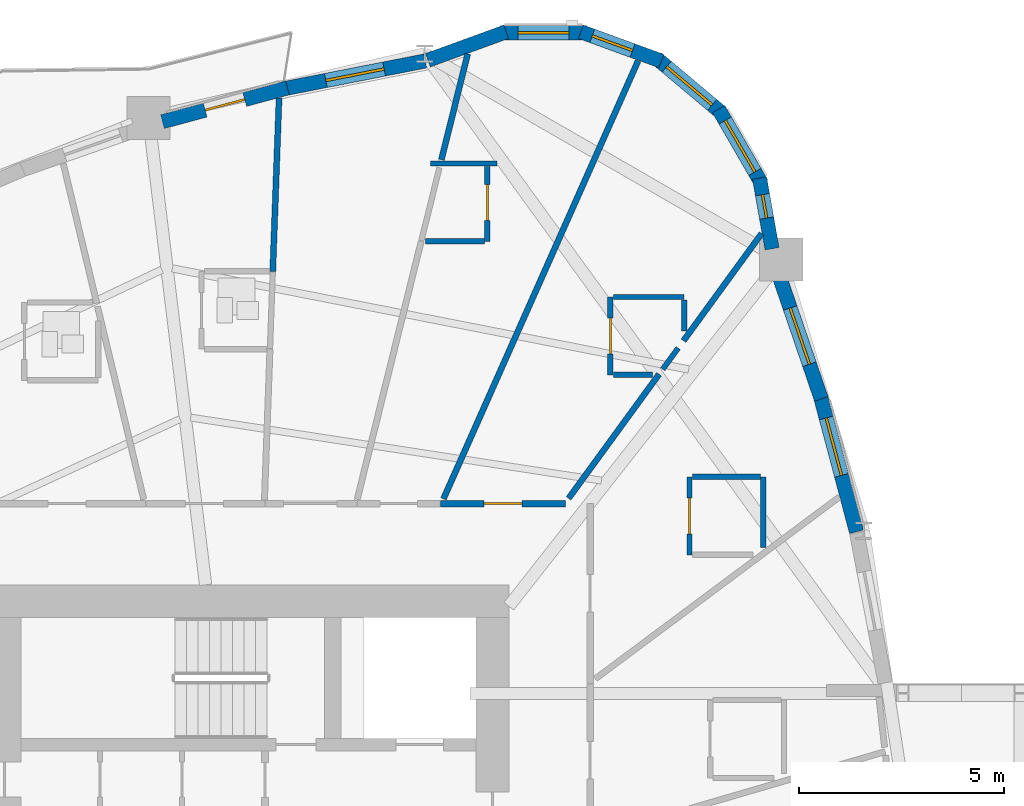
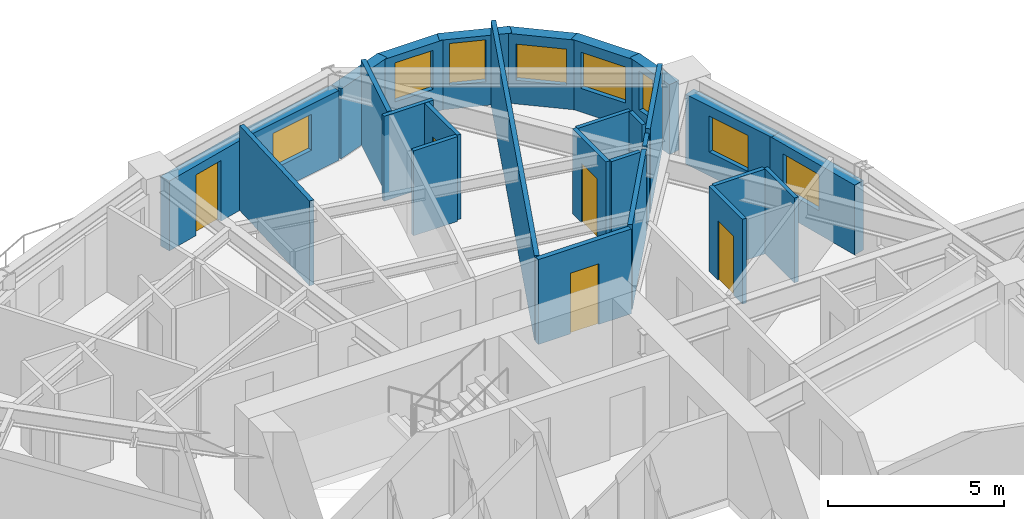
# One storey, part 10 of 16: 27 walls, 8 windows, 5 doors, 13 openings.
"""IFC4 building model written with IfcOpenShell, lengths in metres."""

from ifc_helpers import new_model, si_unit, direction, frame, frame_2d, origin, place, context, subcontext, project, spatial, rectangle, extrude, source, transform, mapped, material, layer, layer_set, type_object, element, fill, save


model = new_model("IFC4")

# Units and contexts
model_context = context("Model", 3, precision=1e-05, world=origin(), true_north=direction((0.0, 1.0)))
body_context = subcontext(model_context, "Body", "Model", "MODEL_VIEW")
ifc_project = project(units=[si_unit("LENGTHUNIT", "METRE"), si_unit("AREAUNIT", "SQUARE_METRE"), si_unit("VOLUMEUNIT", "CUBIC_METRE"), si_unit("PLANEANGLEUNIT", "RADIAN"), si_unit("MASSUNIT", "GRAM", prefix="KILO")], contexts=[model_context])

# Site, building, storey
site_placement = place(None, origin())
site = spatial("IfcSite", under=ifc_project, at=site_placement, CompositionType="ELEMENT")
building_placement = place(site_placement, origin())
building = spatial("IfcBuilding", under=site, at=building_placement, Name="Qafzar Sky-Pleat Residences", CompositionType="ELEMENT")
storey_placement = place(building_placement, frame((0.0, 0.0, 30.199951171875)))
storey = spatial("IfcBuildingStorey", under=building, at=storey_placement, Name="L08", CompositionType="ELEMENT", Elevation=30.199951171875)

# Wall, opening, door
ifc_material_1 = material(Name="Acoustic gypsum plasterboard partition", Category="gypsum")
ifc_layer_1 = layer(ifc_material_1, 0.159912109375)
ifc_layer_set_1 = layer_set([ifc_layer_1], Name="Acoustic gypsum plasterboard partition")
wall_type_1 = type_object("IfcWallType", Name="PART-COR-160", PredefinedType="PARTITIONING", material=ifc_layer_set_1)
wall_1_placement = place(storey_placement, frame((35.035888671875, 36.580078125, 0.0), z_axis=(0.0, 0.0, 1.0), x_axis=(1.0, 0.0, 0.0)))
wall_1 = element("IfcWall", 1, at=wall_1_placement, inside=storey, type_object=wall_type_1, Name="L08 Partition Wall PART-L08-PW-013", PredefinedType="PARTITIONING", context=body_context, shape_type="SweptSolid", body=[
    extrude(rectangle(XDim=3.045166015625, YDim=0.159912109375, at=frame_2d((1.5224609375, 0.0))), origin(), (0.0, 0.0, 1.0), 2.93505859375),
])
opening_1_placement = place(wall_1_placement, frame((1.0615234375, 0.0, 0.0)))
opening_1 = element("IfcOpeningElement", 2, at=opening_1_placement, cuts=wall_1, Name="Opening ID-04", PredefinedType="OPENING", context=body_context, shape_type="SweptSolid", body=[
    extrude(rectangle(XDim=0.919921875, YDim=2.10009765625, at=frame_2d((0.4599609375, 1.050048828125))), frame((0.0, 0.08984375, 0.0), z_axis=(0.0, -1.0, 0.0), x_axis=(1.0, 0.0, 0.0)), (0.0, 0.0, 1.0), 0.179931640625),
])
ifc_material_2 = material(Name="Timber-faced fire door", Category="wood")
door_type_1 = type_object("IfcDoorType", Name="DR-BED-920", OperationType="NOTDEFINED", PredefinedType="DOOR", material=ifc_material_2)
shared_shape_1 = source(origin(), body_context, "Body", "SweptSolid", [
    extrude(rectangle(XDim=0.919921875, YDim=2.10009765625, at=frame_2d((0.4599609375, 1.050048828125))), frame((0.0, 0.02490234375, 0.0), z_axis=(0.0, -1.0, 0.0), x_axis=(1.0, 0.0, 0.0)), (0.0, 0.0, 1.0), 0.050048828125),
])
door_1_placement = place(opening_1_placement, origin())
door_1 = element("IfcDoor", 3, at=door_1_placement, inside=storey, type_object=door_type_1, Name="L08 Co-Living Bedroom 11 Door", OperationType="SINGLE_SWING_LEFT", OverallHeight=2.10009765625, OverallWidth=0.919921875, PredefinedType="DOOR", context=body_context, shape_type="MappedRepresentation", body=[
    mapped(shared_shape_1, transform((0.0, 0.0, 0.0), x_axis=(1.0, 0.0, 0.0), y_axis=(0.0, 1.0, 0.0), z_axis=(0.0, 0.0, 1.0), scale=1.0)),
])
fill(opening_1, door_1)

# Walls
ifc_layer_2 = layer(ifc_material_1, 0.14501953125)
ifc_layer_set_2 = layer_set([ifc_layer_2], Name="Acoustic gypsum plasterboard partition")
wall_type_2 = type_object("IfcWallType", Name="PART-UNIT-145", PredefinedType="PARTITIONING", material=ifc_layer_set_2)
wall_2_placement = place(storey_placement, frame((35.10400390625, 36.69677734375, 0.0), z_axis=(0.0, 0.0, 1.0), x_axis=(0.406121034368, 0.913819295837, 0.0)))
element("IfcWall", 4, at=wall_2_placement, inside=storey, type_object=wall_type_2, Name="L08 Partition Wall PART-L08-PW-035", PredefinedType="PARTITIONING", context=body_context, shape_type="SweptSolid", body=[
    extrude(rectangle(XDim=11.6953125, YDim=0.14501953125, at=frame_2d((5.84765625, 0.0))), origin(), (0.0, 0.0, 1.0), 2.93505859375),
])
wall_3_placement = place(storey_placement, frame((30.93994140625, 42.2470703125, 0.0), z_axis=(0.0, 0.0, 1.0), x_axis=(0.03624948077, 0.999342771597, 0.0)))
element("IfcWall", 5, at=wall_3_placement, inside=storey, type_object=wall_type_2, Name="L08 Partition Wall PART-L08-PW-052", PredefinedType="PARTITIONING", context=body_context, shape_type="SweptSolid", body=[
    extrude(rectangle(XDim=4.2294921875, YDim=0.14501953125, at=frame_2d((2.11474609375, 0.0))), origin(), (0.0, 0.0, 1.0), 2.93505859375),
])
wall_4_placement = place(storey_placement, frame((38.156982421875, 36.709228515625, 0.0), z_axis=(0.0, 0.0, 1.0), x_axis=(0.589039209188, 0.808104454906, 0.0)))
element("IfcWall", 6, at=wall_4_placement, inside=storey, type_object=wall_type_2, Name="L08 Partition Wall PART-L08-PW-053", PredefinedType="PARTITIONING", context=body_context, shape_type="SweptSolid", body=[
    extrude(rectangle(XDim=3.746826171875, YDim=0.14501953125, at=frame_2d((1.87353515625, 0.0))), origin(), (0.0, 0.0, 1.0), 2.93505859375),
])
wall_5_placement = place(storey_placement, frame((40.9609375, 40.554931640625, 0.0), z_axis=(0.0, 0.0, 1.0), x_axis=(0.589014212848, 0.808122674514, 0.0)))
element("IfcWall", 7, at=wall_5_placement, inside=storey, type_object=wall_type_2, Name="L08 Partition Wall PART-L08-PW-057", PredefinedType="PARTITIONING", context=body_context, shape_type="SweptSolid", body=[
    extrude(rectangle(XDim=3.238037109375, YDim=0.14501953125, at=frame_2d((1.619140625, 0.0))), origin(), (0.0, 0.0, 1.0), 2.93505859375),
])
wall_6_placement = place(storey_placement, frame((35.054443359375, 44.96923828125, 0.0), z_axis=(0.0, 0.0, 1.0), x_axis=(0.240615617293, 0.970620484388, 0.0)))
element("IfcWall", 8, at=wall_6_placement, inside=storey, type_object=wall_type_2, Name="L08 Partition Wall PART-L08-PW-058", PredefinedType="PARTITIONING", context=body_context, shape_type="SweptSolid", body=[
    extrude(rectangle(XDim=2.66357421875, YDim=0.14501953125, at=frame_2d((1.331787109375, 0.0))), origin(), (0.0, 0.0, 1.0), 2.93505859375),
])

# Wall, opening, door
ifc_material_3 = material(Name="Moisture-resistant gypsum partition", Category="gypsum")
ifc_layer_3 = layer(ifc_material_3, 0.1298828125)
ifc_layer_set_3 = layer_set([ifc_layer_3], Name="Moisture-resistant gypsum partition")
wall_type_3 = type_object("IfcWallType", Name="PART-WET-130", PredefinedType="PARTITIONING", material=ifc_layer_set_3)
wall_7_placement = place(storey_placement, frame((41.10595703125, 37.23291015625, 0.0), z_axis=(0.0, 0.0, 1.0), x_axis=(0.0, -1.0, 0.0)))
wall_7 = element("IfcWall", 9, at=wall_7_placement, inside=storey, type_object=wall_type_3, Name="L08 Partition Wall PART-L08-PW-027", PredefinedType="PARTITIONING", context=body_context, shape_type="SweptSolid", body=[
    extrude(rectangle(XDim=1.89990234375, YDim=0.1298828125, at=frame_2d((0.949951171875, 0.0))), origin(), (0.0, 0.0, 1.0), 2.93505859375),
])
opening_2_placement = place(wall_7_placement, frame((0.510009765625, 0.0, 0.0)))
opening_2 = element("IfcOpeningElement", 10, at=opening_2_placement, cuts=wall_7, Name="Opening ID-07", PredefinedType="OPENING", context=body_context, shape_type="SweptSolid", body=[
    extrude(rectangle(XDim=0.8798828125, YDim=2.050048828125, at=frame_2d((0.43994140625, 1.02490234375))), frame((0.0, 0.074951171875, 0.0), z_axis=(0.0, -1.0, 0.0), x_axis=(1.0, 0.0, 0.0)), (0.0, 0.0, 1.0), 0.14990234375),
])
door_type_2 = type_object("IfcDoorType", Name="DR-WET-880", OperationType="NOTDEFINED", PredefinedType="DOOR", material=ifc_material_2)
shared_shape_2 = source(origin(), body_context, "Body", "SweptSolid", [
    extrude(rectangle(XDim=0.8798828125, YDim=2.050048828125, at=frame_2d((0.43994140625, 1.02490234375))), frame((0.0, 0.02490234375, 0.0), z_axis=(0.0, -1.0, 0.0), x_axis=(1.0, 0.0, 0.0)), (0.0, 0.0, 1.0), 0.050048828125),
])
door_2_placement = place(opening_2_placement, origin())
door_2 = element("IfcDoor", 11, at=door_2_placement, inside=storey, type_object=door_type_2, Name="L08 En-suite Bathroom 10 Door", OperationType="SINGLE_SWING_LEFT", OverallHeight=2.050048828125, OverallWidth=0.8798828125, PredefinedType="DOOR", context=body_context, shape_type="MappedRepresentation", body=[
    mapped(shared_shape_2, transform((0.0, 0.0, 0.0), x_axis=(1.0, 0.0, 0.0), y_axis=(0.0, 1.0, 0.0), z_axis=(0.0, 0.0, 1.0), scale=1.0)),
])
fill(opening_2, door_2)

wall_8_placement = place(storey_placement, frame((39.176025390625, 41.6220703125, 0.0), z_axis=(0.0, 0.0, 1.0), x_axis=(0.0, -1.0, 0.0)))
wall_8 = element("IfcWall", 12, at=wall_8_placement, inside=storey, type_object=wall_type_3, Name="L08 Partition Wall PART-L08-PW-028", PredefinedType="PARTITIONING", context=body_context, shape_type="SweptSolid", body=[
    extrude(rectangle(XDim=1.900146484375, YDim=0.1298828125, at=frame_2d((0.9501953125, 0.0))), origin(), (0.0, 0.0, 1.0), 2.93505859375),
])
opening_3_placement = place(wall_8_placement, frame((0.510009765625, 0.0, 0.0)))
opening_3 = element("IfcOpeningElement", 13, at=opening_3_placement, cuts=wall_8, Name="Opening ID-07", PredefinedType="OPENING", context=body_context, shape_type="SweptSolid", body=[
    extrude(rectangle(XDim=0.8798828125, YDim=2.050048828125, at=frame_2d((0.43994140625, 1.02490234375))), frame((0.0, 0.074951171875, 0.0), z_axis=(0.0, -1.0, 0.0), x_axis=(1.0, 0.0, 0.0)), (0.0, 0.0, 1.0), 0.14990234375),
])
door_3_placement = place(opening_3_placement, origin())
door_3 = element("IfcDoor", 14, at=door_3_placement, inside=storey, type_object=door_type_2, Name="L08 En-suite Bathroom 11 Door", OperationType="SINGLE_SWING_RIGHT", OverallHeight=2.050048828125, OverallWidth=0.8798828125, PredefinedType="DOOR", context=body_context, shape_type="MappedRepresentation", body=[
    mapped(shared_shape_2, transform((0.0, 0.0, 0.0), x_axis=(1.0, 0.0, 0.0), y_axis=(0.0, 1.0, 0.0), z_axis=(0.0, 0.0, 1.0), scale=1.0)),
])
fill(opening_3, door_3)

wall_9_placement = place(storey_placement, frame((36.176025390625, 42.97900390625, 0.0), z_axis=(0.0, 0.0, 1.0), x_axis=(0.0, 1.0, 0.0)))
wall_9 = element("IfcWall", 15, at=wall_9_placement, inside=storey, type_object=wall_type_3, Name="L08 Partition Wall PART-L08-PW-029", PredefinedType="PARTITIONING", context=body_context, shape_type="SweptSolid", body=[
    extrude(rectangle(XDim=1.826904296875, YDim=0.1298828125, at=frame_2d((0.91357421875, 0.0))), origin(), (0.0, 0.0, 1.0), 2.93505859375),
])
opening_4_placement = place(wall_9_placement, frame((0.510009765625, 0.0, 0.0)))
opening_4 = element("IfcOpeningElement", 16, at=opening_4_placement, cuts=wall_9, Name="Opening ID-07", PredefinedType="OPENING", context=body_context, shape_type="SweptSolid", body=[
    extrude(rectangle(XDim=0.8798828125, YDim=2.050048828125, at=frame_2d((0.43994140625, 1.02490234375))), frame((0.0, 0.074951171875, 0.0), z_axis=(0.0, -1.0, 0.0), x_axis=(1.0, 0.0, 0.0)), (0.0, 0.0, 1.0), 0.14990234375),
])
door_4_placement = place(opening_4_placement, origin())
door_4 = element("IfcDoor", 17, at=door_4_placement, inside=storey, type_object=door_type_2, Name="L08 En-suite Bathroom 12 Door", OperationType="SINGLE_SWING_LEFT", OverallHeight=2.050048828125, OverallWidth=0.8798828125, PredefinedType="DOOR", context=body_context, shape_type="MappedRepresentation", body=[
    mapped(shared_shape_2, transform((0.0, 0.0, 0.0), x_axis=(1.0, 0.0, 0.0), y_axis=(0.0, 1.0, 0.0), z_axis=(0.0, 0.0, 1.0), scale=1.0)),
])
fill(opening_4, door_4)

# Walls
wall_10_placement = place(storey_placement, frame((42.906005859375, 35.505859375, 0.0), z_axis=(0.0, 0.0, 1.0), x_axis=(0.0, 1.0, 0.0)))
element("IfcWall", 18, at=wall_10_placement, inside=storey, type_object=wall_type_3, Name="L08 Partition Wall PART-L08-PW-065", PredefinedType="PARTITIONING", context=body_context, shape_type="SweptSolid", body=[
    extrude(rectangle(XDim=1.72705078125, YDim=0.1298828125, at=frame_2d((0.863525390625, 0.0))), origin(), (0.0, 0.0, 1.0), 2.93505859375),
])
wall_11_placement = place(storey_placement, frame((41.178955078125, 37.23291015625, 0.0), z_axis=(0.0, 0.0, 1.0), x_axis=(1.0, 0.0, 0.0)))
element("IfcWall", 19, at=wall_11_placement, inside=storey, type_object=wall_type_3, Name="L08 Partition Wall PART-L08-PW-077", PredefinedType="PARTITIONING", context=body_context, shape_type="SweptSolid", body=[
    extrude(rectangle(XDim=1.654052734375, YDim=0.1298828125, at=frame_2d((0.8271484375, 0.0))), origin(), (0.0, 0.0, 1.0), 2.93505859375),
])
wall_12_placement = place(storey_placement, frame((39.2490234375, 41.6220703125, 0.0), z_axis=(0.0, 0.0, 1.0), x_axis=(1.0, 0.0, 0.0)))
element("IfcWall", 20, at=wall_12_placement, inside=storey, type_object=wall_type_3, Name="L08 Partition Wall PART-L08-PW-078", PredefinedType="PARTITIONING", context=body_context, shape_type="SweptSolid", body=[
    extrude(rectangle(XDim=1.72705078125, YDim=0.1298828125, at=frame_2d((0.863525390625, 0.0))), origin(), (0.0, 0.0, 1.0), 2.93505859375),
])
wall_13_placement = place(storey_placement, frame((34.659912109375, 42.97900390625, 0.0), z_axis=(0.0, 0.0, 1.0), x_axis=(1.0, 0.0, 0.0)))
element("IfcWall", 21, at=wall_13_placement, inside=storey, type_object=wall_type_3, Name="L08 Partition Wall PART-L08-PW-086", PredefinedType="PARTITIONING", context=body_context, shape_type="SweptSolid", body=[
    extrude(rectangle(XDim=1.443115234375, YDim=0.1298828125, at=frame_2d((0.7216796875, 0.0))), origin(), (0.0, 0.0, 1.0), 2.93505859375),
])
wall_14_placement = place(storey_placement, frame((39.2490234375, 39.721923828125, 0.0), z_axis=(0.0, 0.0, 1.0), x_axis=(1.0, 0.0, 0.0)))
element("IfcWall", 22, at=wall_14_placement, inside=storey, type_object=wall_type_3, Name="L08 Partition Wall PART-L08-PW-091", PredefinedType="PARTITIONING", context=body_context, shape_type="SweptSolid", body=[
    extrude(rectangle(XDim=0.958984375, YDim=0.1298828125, at=frame_2d((0.4794921875, 0.0))), origin(), (0.0, 0.0, 1.0), 2.93505859375),
])
wall_15_placement = place(storey_placement, frame((34.7919921875, 44.87890625, 0.0), z_axis=(0.0, 0.0, 1.0), x_axis=(1.0, 0.0, 0.0)))
element("IfcWall", 23, at=wall_15_placement, inside=storey, type_object=wall_type_3, Name="L08 Partition Wall PART-L08-PW-092", PredefinedType="PARTITIONING", context=body_context, shape_type="SweptSolid", body=[
    extrude(rectangle(XDim=1.6240234375, YDim=0.1298828125, at=frame_2d((0.81201171875, 0.0))), origin(), (0.0, 0.0, 1.0), 2.93505859375),
])
wall_16_placement = place(storey_placement, frame((40.97607421875, 40.79638671875, 0.0), z_axis=(0.0, 0.0, 1.0), x_axis=(0.0, 1.0, 0.0)))
element("IfcWall", 24, at=wall_16_placement, inside=storey, type_object=wall_type_3, Name="L08 Partition Wall PART-L08-PW-093", PredefinedType="PARTITIONING", context=body_context, shape_type="SweptSolid", body=[
    extrude(rectangle(XDim=0.752685546875, YDim=0.1298828125, at=frame_2d((0.37646484375, 0.0))), origin(), (0.0, 0.0, 1.0), 2.93505859375),
])
wall_17_placement = place(storey_placement, frame((40.453369140625, 39.8583984375, 0.0), z_axis=(0.0, 0.0, 1.0), x_axis=(0.589192932261, 0.807992381507, 0.0)))
element("IfcWall", 25, at=wall_17_placement, inside=storey, type_object=wall_type_3, Name="L08 Partition Wall PART-L08-PW-095", PredefinedType="PARTITIONING", context=body_context, shape_type="SweptSolid", body=[
    extrude(rectangle(XDim=0.639404296875, YDim=0.1298828125, at=frame_2d((0.31982421875, 0.0))), origin(), (0.0, 0.0, 1.0), 2.93505859375),
])

# Wall, opening, window
ifc_material_4 = material(Name="Precast concrete C40/50 with honed Riyadh limestone", Category="concrete")
ifc_layer_4 = layer(ifc_material_4, 0.35009765625)
ifc_layer_set_4 = layer_set([ifc_layer_4], Name="Precast concrete C40/50 with honed Riyadh limestone")
wall_type_4 = type_object("IfcWallType", Name="WALL-EXT-350", PredefinedType="SOLIDWALL", material=ifc_layer_set_4)
wall_18_placement = place(storey_placement, frame((45.180908203125, 35.893798828125, 0.0), z_axis=(0.0, 0.0, 1.0), x_axis=(-0.257039630222, 0.966400863253, 0.0)))
wall_18 = element("IfcWall", 26, at=wall_18_placement, inside=storey, type_object=wall_type_4, Name="L08 Limestone Facade Wall 31", PredefinedType="SOLIDWALL", context=body_context, shape_type="SweptSolid", body=[
    extrude(rectangle(XDim=3.439208984375, YDim=0.35009765625, at=frame_2d((1.7197265625, 0.0))), origin(), (0.0, 0.0, 1.0), 2.4150390625),
])
opening_5_placement = place(wall_18_placement, frame((1.4228515625, 0.0, 0.820068359375)))
opening_5 = element("IfcOpeningElement", 27, at=opening_5_placement, cuts=wall_18, Name="Opening WN-15", PredefinedType="OPENING", context=body_context, shape_type="SweptSolid", body=[
    extrude(rectangle(XDim=1.449951171875, YDim=1.25, at=frame_2d((0.72509765625, 0.625))), frame((0.0, 0.18505859375, 0.0), z_axis=(0.0, -1.0, 0.0), x_axis=(1.0, 0.0, 0.0)), (0.0, 0.0, 1.0), 0.3701171875),
])
ifc_material_5 = material(Name="Solar-control low-E glass in bronze aluminium frame", Category="glass")
window_type_1 = type_object("IfcWindowType", Name="WIN-15", PartitioningType="SINGLE_PANEL", PredefinedType="WINDOW", material=ifc_material_5)
shared_shape_3 = source(origin(), body_context, "Body", "SweptSolid", [
    extrude(rectangle(XDim=1.449951171875, YDim=1.25, at=frame_2d((0.72509765625, 0.625))), frame((0.0, 0.030029296875, 0.0), z_axis=(0.0, -1.0, 0.0), x_axis=(1.0, 0.0, 0.0)), (0.0, 0.0, 1.0), 0.06005859375),
])
window_1_placement = place(opening_5_placement, origin())
window_1 = element("IfcWindow", 28, at=window_1_placement, inside=storey, type_object=window_type_1, Name="L08 Punched Facade Window 31-2", OverallHeight=1.25, OverallWidth=1.449951171875, PartitioningType="SINGLE_PANEL", PredefinedType="WINDOW", context=body_context, shape_type="MappedRepresentation", body=[
    mapped(shared_shape_3, transform((0.0, 0.0, 0.0), x_axis=(1.0, 0.0, 0.0), y_axis=(0.0, 1.0, 0.0), z_axis=(0.0, 0.0, 1.0), scale=1.0)),
])
fill(opening_5, window_1)

wall_19_placement = place(storey_placement, frame((44.322509765625, 39.13330078125, 0.0), z_axis=(0.0, 0.0, 1.0), x_axis=(-0.323559565071, 0.946207803736, 0.0)))
wall_19 = element("IfcWall", 29, at=wall_19_placement, inside=storey, type_object=wall_type_4, Name="L08 Limestone Facade Wall 32", PredefinedType="SOLIDWALL", context=body_context, shape_type="SweptSolid", body=[
    extrude(rectangle(XDim=3.232421875, YDim=0.35009765625, at=frame_2d((1.6162109375, 0.0))), origin(), (0.0, 0.0, 1.0), 2.4150390625),
])
opening_6_placement = place(wall_19_placement, frame((0.896240234375, 0.0, 0.820068359375)))
opening_6 = element("IfcOpeningElement", 30, at=opening_6_placement, cuts=wall_19, Name="Opening WN-15", PredefinedType="OPENING", context=body_context, shape_type="SweptSolid", body=[
    extrude(rectangle(XDim=1.449951171875, YDim=1.25, at=frame_2d((0.72509765625, 0.625))), frame((0.0, 0.18505859375, 0.0), z_axis=(0.0, -1.0, 0.0), x_axis=(1.0, 0.0, 0.0)), (0.0, 0.0, 1.0), 0.3701171875),
])
window_2_placement = place(opening_6_placement, origin())
window_2 = element("IfcWindow", 31, at=window_2_placement, inside=storey, type_object=window_type_1, Name="L08 Punched Facade Window 32", OverallHeight=1.25, OverallWidth=1.449951171875, PartitioningType="SINGLE_PANEL", PredefinedType="WINDOW", context=body_context, shape_type="MappedRepresentation", body=[
    mapped(shared_shape_3, transform((0.0, 0.0, 0.0), x_axis=(1.0, 0.0, 0.0), y_axis=(0.0, 1.0, 0.0), z_axis=(0.0, 0.0, 1.0), scale=1.0)),
])
fill(opening_6, window_2)

wall_20_placement = place(storey_placement, frame((43.12060546875, 42.797607421875, 0.0), z_axis=(0.0, 0.0, 1.0), x_axis=(-0.173610462023, 0.984814402553, 0.0)))
wall_20 = element("IfcWall", 32, at=wall_20_placement, inside=storey, type_object=wall_type_4, Name="L08 Limestone Facade Wall 33", PredefinedType="SOLIDWALL", context=body_context, shape_type="SweptSolid", body=[
    extrude(rectangle(XDim=1.752197265625, YDim=0.35009765625, at=frame_2d((0.8759765625, 0.0))), origin(), (0.0, 0.0, 1.0), 2.4150390625),
])
opening_7_placement = place(wall_20_placement, frame((0.760986328125, 0.0, 0.820068359375)))
opening_7 = element("IfcOpeningElement", 33, at=opening_7_placement, cuts=wall_20, Name="Opening WN-17", PredefinedType="OPENING", context=body_context, shape_type="SweptSolid", body=[
    extrude(rectangle(XDim=0.580078125, YDim=1.35009765625, at=frame_2d((0.2900390625, 0.675048828125))), frame((0.0, 0.18505859375, 0.0), z_axis=(0.0, -1.0, 0.0), x_axis=(1.0, 0.0, 0.0)), (0.0, 0.0, 1.0), 0.3701171875),
])
window_type_2 = type_object("IfcWindowType", Name="WIN-17", PartitioningType="SINGLE_PANEL", PredefinedType="WINDOW", material=ifc_material_5)
shared_shape_4 = source(origin(), body_context, "Body", "SweptSolid", [
    extrude(rectangle(XDim=0.580078125, YDim=1.35009765625, at=frame_2d((0.2900390625, 0.675048828125))), frame((0.0, 0.030029296875, 0.0), z_axis=(0.0, -1.0, 0.0), x_axis=(1.0, 0.0, 0.0)), (0.0, 0.0, 1.0), 0.06005859375),
])
window_3_placement = place(opening_7_placement, origin())
window_3 = element("IfcWindow", 34, at=window_3_placement, inside=storey, type_object=window_type_2, Name="L08 Punched Facade Window 33-2", OverallHeight=1.35009765625, OverallWidth=0.580078125, PartitioningType="SINGLE_PANEL", PredefinedType="WINDOW", context=body_context, shape_type="MappedRepresentation", body=[
    mapped(shared_shape_4, transform((0.0, 0.0, 0.0), x_axis=(1.0, 0.0, 0.0), y_axis=(0.0, 1.0, 0.0), z_axis=(0.0, 0.0, 1.0), scale=1.0)),
])
fill(opening_7, window_3)

wall_21_placement = place(storey_placement, frame((42.862548828125, 44.395751953125, 0.0), z_axis=(0.0, 0.0, 1.0), x_axis=(-0.499995423472, 0.866028046028, 0.0)))
wall_21 = element("IfcWall", 35, at=wall_21_placement, inside=storey, type_object=wall_type_4, Name="L08 Limestone Facade Wall 34", PredefinedType="SOLIDWALL", context=body_context, shape_type="SweptSolid", body=[
    extrude(rectangle(XDim=2.09033203125, YDim=0.35009765625, at=frame_2d((1.045166015625, 0.0))), origin(), (0.0, 0.0, 1.0), 2.4150390625),
])
opening_8_placement = place(wall_21_placement, frame((0.3203125, 0.0, 0.820068359375)))
opening_8 = element("IfcOpeningElement", 36, at=opening_8_placement, cuts=wall_21, Name="Opening WN-15", PredefinedType="OPENING", context=body_context, shape_type="SweptSolid", body=[
    extrude(rectangle(XDim=1.449951171875, YDim=1.25, at=frame_2d((0.72509765625, 0.625))), frame((0.0, 0.18505859375, 0.0), z_axis=(0.0, -1.0, 0.0), x_axis=(1.0, 0.0, 0.0)), (0.0, 0.0, 1.0), 0.3701171875),
])
window_4_placement = place(opening_8_placement, origin())
window_4 = element("IfcWindow", 37, at=window_4_placement, inside=storey, type_object=window_type_1, Name="L08 Punched Facade Window 34", OverallHeight=1.25, OverallWidth=1.449951171875, PartitioningType="SINGLE_PANEL", PredefinedType="WINDOW", context=body_context, shape_type="MappedRepresentation", body=[
    mapped(shared_shape_3, transform((0.0, 0.0, 0.0), x_axis=(1.0, 0.0, 0.0), y_axis=(0.0, 1.0, 0.0), z_axis=(0.0, 0.0, 1.0), scale=1.0)),
])
fill(opening_8, window_4)

wall_22_placement = place(storey_placement, frame((41.90478515625, 46.10205078125, 0.0), z_axis=(0.0, 0.0, 1.0), x_axis=(-0.766024572719, 0.642811289563, 0.0)))
wall_22 = element("IfcWall", 38, at=wall_22_placement, inside=storey, type_object=wall_type_4, Name="L08 Limestone Facade Wall 35", PredefinedType="SOLIDWALL", context=body_context, shape_type="SweptSolid", body=[
    extrude(rectangle(XDim=2.09033203125, YDim=0.35009765625, at=frame_2d((1.045166015625, 0.0))), origin(), (0.0, 0.0, 1.0), 2.4150390625),
])
opening_9_placement = place(wall_22_placement, frame((0.3203125, 0.0, 0.820068359375)))
opening_9 = element("IfcOpeningElement", 39, at=opening_9_placement, cuts=wall_22, Name="Opening WN-15", PredefinedType="OPENING", context=body_context, shape_type="SweptSolid", body=[
    extrude(rectangle(XDim=1.449951171875, YDim=1.25, at=frame_2d((0.72509765625, 0.625))), frame((0.0, 0.18505859375, 0.0), z_axis=(0.0, -1.0, 0.0), x_axis=(1.0, 0.0, 0.0)), (0.0, 0.0, 1.0), 0.3701171875),
])
window_5_placement = place(opening_9_placement, origin())
window_5 = element("IfcWindow", 40, at=window_5_placement, inside=storey, type_object=window_type_1, Name="L08 Punched Facade Window 35", OverallHeight=1.25, OverallWidth=1.449951171875, PartitioningType="SINGLE_PANEL", PredefinedType="WINDOW", context=body_context, shape_type="MappedRepresentation", body=[
    mapped(shared_shape_3, transform((0.0, 0.0, 0.0), x_axis=(1.0, 0.0, 0.0), y_axis=(0.0, 1.0, 0.0), z_axis=(0.0, 0.0, 1.0), scale=1.0)),
])
fill(opening_9, window_5)

wall_23_placement = place(storey_placement, frame((40.4208984375, 47.3779296875, 0.0), z_axis=(0.0, 0.0, 1.0), x_axis=(-0.939711556618, 0.341968113072, 0.0)))
wall_23 = element("IfcWall", 41, at=wall_23_placement, inside=storey, type_object=wall_type_4, Name="L08 Limestone Facade Wall 36", PredefinedType="SOLIDWALL", context=body_context, shape_type="SweptSolid", body=[
    extrude(rectangle(XDim=2.09033203125, YDim=0.35009765625, at=frame_2d((1.045166015625, 0.0))), origin(), (0.0, 0.0, 1.0), 2.4150390625),
])
opening_10_placement = place(wall_23_placement, frame((0.746826171875, 0.0, 0.820068359375)))
opening_10 = element("IfcOpeningElement", 42, at=opening_10_placement, cuts=wall_23, Name="Opening WN-06", PredefinedType="OPENING", context=body_context, shape_type="SweptSolid", body=[
    extrude(rectangle(XDim=1.050048828125, YDim=1.449951171875, at=frame_2d((0.52490234375, 0.72509765625))), frame((0.0, 0.18505859375, 0.0), z_axis=(0.0, -1.0, 0.0), x_axis=(1.0, 0.0, 0.0)), (0.0, 0.0, 1.0), 0.3701171875),
])
window_type_3 = type_object("IfcWindowType", Name="WIN-06", PartitioningType="SINGLE_PANEL", PredefinedType="WINDOW", material=ifc_material_5)
shared_shape_5 = source(origin(), body_context, "Body", "SweptSolid", [
    extrude(rectangle(XDim=1.050048828125, YDim=1.449951171875, at=frame_2d((0.52490234375, 0.72509765625))), frame((0.0, 0.030029296875, 0.0), z_axis=(0.0, -1.0, 0.0), x_axis=(1.0, 0.0, 0.0)), (0.0, 0.0, 1.0), 0.06005859375),
])
window_6_placement = place(opening_10_placement, origin())
window_6 = element("IfcWindow", 43, at=window_6_placement, inside=storey, type_object=window_type_3, Name="L08 Punched Facade Window 36-2", OverallHeight=1.449951171875, OverallWidth=1.050048828125, PartitioningType="SINGLE_PANEL", PredefinedType="WINDOW", context=body_context, shape_type="MappedRepresentation", body=[
    mapped(shared_shape_5, transform((0.0, 0.0, 0.0), x_axis=(1.0, 0.0, 0.0), y_axis=(0.0, 1.0, 0.0), z_axis=(0.0, 0.0, 1.0), scale=1.0)),
])
fill(opening_10, window_6)

wall_24_placement = place(storey_placement, frame((38.590087890625, 48.0693359375, 0.0), z_axis=(0.0, 0.0, 1.0), x_axis=(-1.0, 0.0, 0.0)))
wall_24 = element("IfcWall", 44, at=wall_24_placement, inside=storey, type_object=wall_type_4, Name="L08 Limestone Facade Wall 37", PredefinedType="SOLIDWALL", context=body_context, shape_type="SweptSolid", body=[
    extrude(rectangle(XDim=2.09033203125, YDim=0.35009765625, at=frame_2d((1.045166015625, 0.0))), origin(), (0.0, 0.0, 1.0), 2.4150390625),
])
opening_11_placement = place(wall_24_placement, frame((0.420166015625, 0.0, 0.820068359375)))
opening_11 = element("IfcOpeningElement", 45, at=opening_11_placement, cuts=wall_24, Name="Opening WN-11", PredefinedType="OPENING", context=body_context, shape_type="SweptSolid", body=[
    extrude(rectangle(XDim=1.25, YDim=1.35009765625, at=frame_2d((0.625, 0.675048828125))), frame((0.0, 0.18505859375, 0.0), z_axis=(0.0, -1.0, 0.0), x_axis=(1.0, 0.0, 0.0)), (0.0, 0.0, 1.0), 0.3701171875),
])
window_type_4 = type_object("IfcWindowType", Name="WIN-11", PartitioningType="SINGLE_PANEL", PredefinedType="WINDOW", material=ifc_material_5)
shared_shape_6 = source(origin(), body_context, "Body", "SweptSolid", [
    extrude(rectangle(XDim=1.25, YDim=1.35009765625, at=frame_2d((0.625, 0.675048828125))), frame((0.0, 0.030029296875, 0.0), z_axis=(0.0, -1.0, 0.0), x_axis=(1.0, 0.0, 0.0)), (0.0, 0.0, 1.0), 0.06005859375),
])
window_7_placement = place(opening_11_placement, origin())
window_7 = element("IfcWindow", 46, at=window_7_placement, inside=storey, type_object=window_type_4, Name="L08 Punched Facade Window 37", OverallHeight=1.35009765625, OverallWidth=1.25, PartitioningType="SINGLE_PANEL", PredefinedType="WINDOW", context=body_context, shape_type="MappedRepresentation", body=[
    mapped(shared_shape_6, transform((0.0, 0.0, 0.0), x_axis=(1.0, 0.0, 0.0), y_axis=(0.0, 1.0, 0.0), z_axis=(0.0, 0.0, 1.0), scale=1.0)),
])
fill(opening_11, window_7)

# Wall
wall_25_placement = place(storey_placement, frame((36.63330078125, 48.0927734375, 0.0), z_axis=(0.0, 0.0, 1.0), x_axis=(-0.939691662178, -0.342022777067, 0.0)))
element("IfcWall", 47, at=wall_25_placement, inside=storey, type_object=wall_type_4, Name="L08 Limestone Facade Wall 38", PredefinedType="SOLIDWALL", context=body_context, shape_type="SweptSolid", body=[
    extrude(rectangle(XDim=2.0322265625, YDim=0.35009765625, at=frame_2d((1.01611328125, 0.0))), origin(), (0.0, 0.0, 1.0), 2.4150390625),
])

# Wall, opening, window
wall_26_placement = place(storey_placement, frame((34.6591796875, 47.3798828125, 0.0), z_axis=(0.0, 0.0, 1.0), x_axis=(-0.981222284826, -0.19288034571, 0.0)))
wall_26 = element("IfcWall", 48, at=wall_26_placement, inside=storey, type_object=wall_type_4, Name="L08 Limestone Facade Wall 39", PredefinedType="SOLIDWALL", context=body_context, shape_type="SweptSolid", body=[
    extrude(rectangle(XDim=3.512451171875, YDim=0.35009765625, at=frame_2d((1.75634765625, 0.0))), origin(), (0.0, 0.0, 1.0), 2.4150390625),
])
opening_12_placement = place(wall_26_placement, frame((1.021240234375, 0.0, 0.820068359375)))
opening_12 = element("IfcOpeningElement", 49, at=opening_12_placement, cuts=wall_26, Name="Opening WN-15", PredefinedType="OPENING", context=body_context, shape_type="SweptSolid", body=[
    extrude(rectangle(XDim=1.449951171875, YDim=1.25, at=frame_2d((0.72509765625, 0.625))), frame((0.0, 0.18505859375, 0.0), z_axis=(0.0, -1.0, 0.0), x_axis=(1.0, 0.0, 0.0)), (0.0, 0.0, 1.0), 0.3701171875),
])
window_8_placement = place(opening_12_placement, origin())
window_8 = element("IfcWindow", 50, at=window_8_placement, inside=storey, type_object=window_type_1, Name="L08 Punched Facade Window 39", OverallHeight=1.25, OverallWidth=1.449951171875, PartitioningType="SINGLE_PANEL", PredefinedType="WINDOW", context=body_context, shape_type="MappedRepresentation", body=[
    mapped(shared_shape_3, transform((0.0, 0.0, 0.0), x_axis=(1.0, 0.0, 0.0), y_axis=(0.0, 1.0, 0.0), z_axis=(0.0, 0.0, 1.0), scale=1.0)),
])
fill(opening_12, window_8)

# Wall, opening, door
wall_27_placement = place(storey_placement, frame((31.29833984375, 46.722412109375, 0.0), z_axis=(0.0, 0.0, 1.0), x_axis=(-0.965455913242, -0.260566459057, 0.0)))
wall_27 = element("IfcWall", 51, at=wall_27_placement, inside=storey, type_object=wall_type_4, Name="L08 Limestone Facade Wall 40", PredefinedType="SOLIDWALL", context=body_context, shape_type="SweptSolid", body=[
    extrude(rectangle(XDim=3.159423828125, YDim=0.35009765625, at=frame_2d((1.57958984375, 0.0))), origin(), (0.0, 0.0, 1.0), 2.4150390625),
])
opening_13_placement = place(wall_27_placement, frame((1.079833984375, 0.0, 0.0)))
opening_13 = element("IfcOpeningElement", 52, at=opening_13_placement, cuts=wall_27, Name="Opening ED-05", PredefinedType="OPENING", context=body_context, shape_type="SweptSolid", body=[
    extrude(rectangle(XDim=1.0, YDim=2.10009765625, at=frame_2d((0.5, 1.050048828125))), frame((0.0, 0.18505859375, 0.0), z_axis=(0.0, -1.0, 0.0), x_axis=(1.0, 0.0, 0.0)), (0.0, 0.0, 1.0), 0.3701171875),
])
ifc_material_6 = material(Name="Glazed bronze aluminium door", Category="aluminium")
door_type_3 = type_object("IfcDoorType", Name="DR-BAL-1000", OperationType="NOTDEFINED", PredefinedType="DOOR", material=ifc_material_6)
shared_shape_7 = source(origin(), body_context, "Body", "SweptSolid", [
    extrude(rectangle(XDim=1.0, YDim=2.10009765625, at=frame_2d((0.5, 1.050048828125))), frame((0.0, 0.02490234375, 0.0), z_axis=(0.0, -1.0, 0.0), x_axis=(1.0, 0.0, 0.0)), (0.0, 0.0, 1.0), 0.050048828125),
])
door_5_placement = place(opening_13_placement, origin())
door_5 = element("IfcDoor", 53, at=door_5_placement, inside=storey, type_object=door_type_3, Name="L08 Glazed Balcony Door 1", OperationType="SINGLE_SWING_LEFT", OverallHeight=2.10009765625, OverallWidth=1.0, PredefinedType="DOOR", context=body_context, shape_type="MappedRepresentation", body=[
    mapped(shared_shape_7, transform((0.0, 0.0, 0.0), x_axis=(1.0, 0.0, 0.0), y_axis=(0.0, 1.0, 0.0), z_axis=(0.0, 0.0, 1.0), scale=1.0)),
])
fill(opening_13, door_5)

save(model, "model.ifc")
